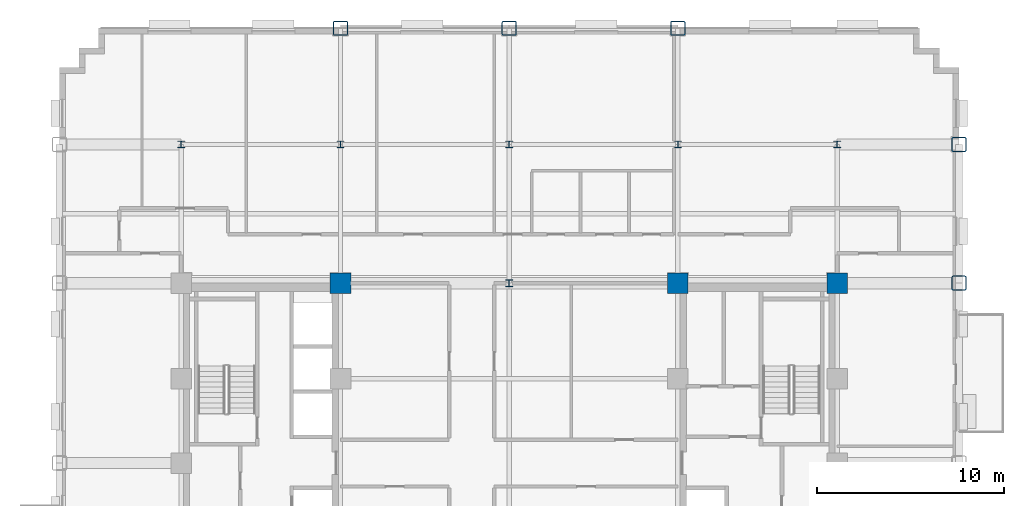
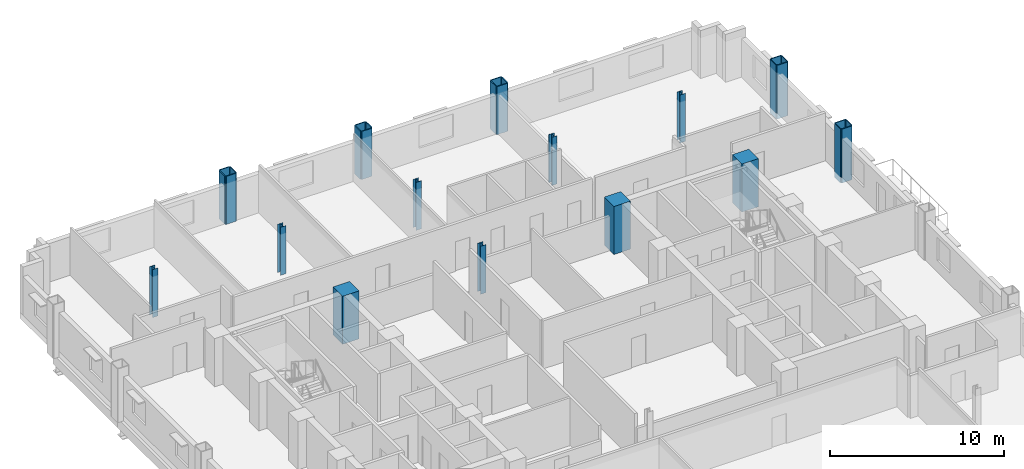
# One storey, part 3 of 15: 14 columns.
"""IFC4 building model written with IfcOpenShell, lengths in metres."""

from ifc_helpers import new_model, si_unit, direction, frame, origin, origin_2d, place, context, subcontext, project, spatial, rectangle, hollow_rectangle, i_section, extrude, material, material_profile, profile_set, type_object, element, save


model = new_model("IFC4")

# Units and contexts
model_context = context("Model", 3, precision=1e-05, world=origin(), true_north=direction((0.0, 1.0)))
body_context = subcontext(model_context, "Body", "Model", "MODEL_VIEW")
ifc_project = project(units=[si_unit("LENGTHUNIT", "METRE"), si_unit("AREAUNIT", "SQUARE_METRE"), si_unit("VOLUMEUNIT", "CUBIC_METRE"), si_unit("PLANEANGLEUNIT", "RADIAN"), si_unit("MASSUNIT", "GRAM", prefix="KILO")], contexts=[model_context])

# Site, building, storey
site_placement = place(None, origin())
site = spatial("IfcSite", under=ifc_project, at=site_placement, CompositionType="ELEMENT")
building_placement = place(site_placement, origin())
building = spatial("IfcBuilding", under=site, at=building_placement, Name="Nuvemarco Arch Tower", CompositionType="ELEMENT")
storey_placement = place(building_placement, frame((0.0, 0.0, 86.0)))
storey = spatial("IfcBuildingStorey", under=building, at=storey_placement, Name="L22", CompositionType="ELEMENT", Elevation=86.0)

# Columns
ifc_material_1 = material(Name="Concrete C60/75", Category="concrete")
ifc_material_profile_1 = material_profile(ifc_material_1, rectangle(XDim=1.10009765625, YDim=1.10009765625, at=origin_2d()), Name="RC-COL-1100x1100")
ifc_profile_set_1 = profile_set([ifc_material_profile_1], Name="Concrete C60/75")
column_type_1 = type_object("IfcColumnType", Name="COL-CORE-1100", PredefinedType="COLUMN", material=ifc_profile_set_1)
for number, where, z_axis, x_axis, name in (
    (1, (-9.0, 9.60009765625, 0.0), (0.0, 0.0, 1.0), (1.0, 0.0, 0.0), "L22 column CC_-9.0_+9.6"),
    (2, (9.0, 9.60009765625, 0.0), (0.0, 0.0, 1.0), (1.0, 0.0, 0.0), "L22 column CC_+9.0_+9.6"),
    (3, (17.5, 9.60009765625, 0.0), (0.0, 0.0, 1.0), (1.0, 0.0, 0.0), "L22 column CC_+17.5_+9.6"),
):
    element("IfcColumn", number, at=place(storey_placement, frame(where, z_axis=z_axis, x_axis=x_axis)), inside=storey, type_object=column_type_1, Name=name, PredefinedType="COLUMN", context=body_context, shape_type="SweptSolid", body=[
        extrude(rectangle(XDim=1.10009765625, YDim=1.10009765625, at=origin_2d()), origin(), (0.0, 0.0, 1.0), 3.3701171875),
    ])
ifc_material_2 = material(Name="Steel S460", Category="steel")
ifc_material_profile_2 = material_profile(ifc_material_2, hollow_rectangle(XDim=0.800048828125, YDim=0.800048828125, WallThickness=0.054931640625, InnerFilletRadius=0.054931640625, OuterFilletRadius=0.110107421875, at=origin_2d()), Name="SHS800x800x55")
ifc_profile_set_2 = profile_set([ifc_material_profile_2], Name="Steel S460")
column_type_2 = type_object("IfcColumnType", Name="COL-EXO-800", PredefinedType="COLUMN", material=ifc_profile_set_2)
for number, where, z_axis, x_axis, name in (
    (4, (24.0, 9.60009765625, -0.39990234375), (0.0, 0.0, 1.0), (1.0, 0.0, 0.0), "L22 column CX_+24.0_+9.6"),
    (5, (24.0, 17.0, -0.39990234375), (0.0, 0.0, 1.0), (1.0, 0.0, 0.0), "L22 column CX_+24.0_+17.0"),
):
    element("IfcColumn", number, at=place(storey_placement, frame(where, z_axis=z_axis, x_axis=x_axis)), inside=storey, type_object=column_type_2, Name=name, PredefinedType="COLUMN", context=body_context, shape_type="SweptSolid", body=[
        extrude(hollow_rectangle(XDim=0.800048828125, YDim=0.800048828125, WallThickness=0.054931640625, InnerFilletRadius=0.054931640625, OuterFilletRadius=0.110107421875, at=origin_2d()), origin(), (0.0, 0.0, 1.0), 3.77001953125),
    ])
for number, where, z_axis, x_axis, name in (
    (6, (-9.0, 23.199951171875, 0.0), (0.0, 0.0, 1.0), (1.0, 0.0, 0.0), "L22 column CY_-9.0_+23.2"),
    (7, (0.0, 23.199951171875, 0.0), (0.0, 0.0, 1.0), (1.0, 0.0, 0.0), "L22 column CY_+0.0_+23.2"),
    (8, (9.0, 23.199951171875, 0.0), (0.0, 0.0, 1.0), (1.0, 0.0, 0.0), "L22 column CY_+9.0_+23.2"),
):
    element("IfcColumn", number, at=place(storey_placement, frame(where, z_axis=z_axis, x_axis=x_axis)), inside=storey, type_object=column_type_2, Name=name, PredefinedType="COLUMN", context=body_context, shape_type="SweptSolid", body=[
        extrude(hollow_rectangle(XDim=0.800048828125, YDim=0.800048828125, WallThickness=0.054931640625, InnerFilletRadius=0.054931640625, OuterFilletRadius=0.110107421875, at=origin_2d()), origin(), (0.0, 0.0, 1.0), 3.3701171875),
    ])
ifc_material_3 = material(Name="Steel S355", Category="steel")
ifc_material_profile_3 = material_profile(ifc_material_3, i_section(OverallWidth=0.360107421875, OverallDepth=0.360107421875, WebThickness=0.0205078125, FlangeThickness=0.0205078125, FilletRadius=0.01806640625, at=origin_2d()), Name="HP360x174")
ifc_profile_set_3 = profile_set([ifc_material_profile_3], Name="Steel S355")
column_type_3 = type_object("IfcColumnType", Name="COL-STL-HP360", PredefinedType="COLUMN", material=ifc_profile_set_3)
for number, where, z_axis, x_axis, name in (
    (9, (0.0, 9.60009765625, 0.0), (0.0, 0.0, 1.0), (1.0, 0.0, 0.0), "L22 column CI_+0.0_+9.6"),
    (10, (0.0, 17.0, 0.0), (0.0, 0.0, 1.0), (1.0, 0.0, 0.0), "L22 column CI_+0.0_+17.0"),
    (11, (-17.5, 17.0, 0.0), (0.0, 0.0, 1.0), (1.0, 0.0, 0.0), "L22 column CI_-17.5_+17.0"),
    (12, (-9.0, 17.0, 0.0), (0.0, 0.0, 1.0), (1.0, 0.0, 0.0), "L22 column CI_-9.0_+17.0"),
    (13, (9.0, 17.0, 0.0), (0.0, 0.0, 1.0), (1.0, 0.0, 0.0), "L22 column CI_+9.0_+17.0"),
    (14, (17.5, 17.0, 0.0), (0.0, 0.0, 1.0), (1.0, 0.0, 0.0), "L22 column CI_+17.5_+17.0"),
):
    element("IfcColumn", number, at=place(storey_placement, frame(where, z_axis=z_axis, x_axis=x_axis)), inside=storey, type_object=column_type_3, Name=name, PredefinedType="COLUMN", context=body_context, shape_type="SweptSolid", body=[
        extrude(i_section(OverallWidth=0.360107421875, OverallDepth=0.360107421875, WebThickness=0.0205078125, FlangeThickness=0.0205078125, FilletRadius=0.01806640625, at=origin_2d()), origin(), (0.0, 0.0, 1.0), 3.3701171875),
    ])

save(model, "model.ifc")
